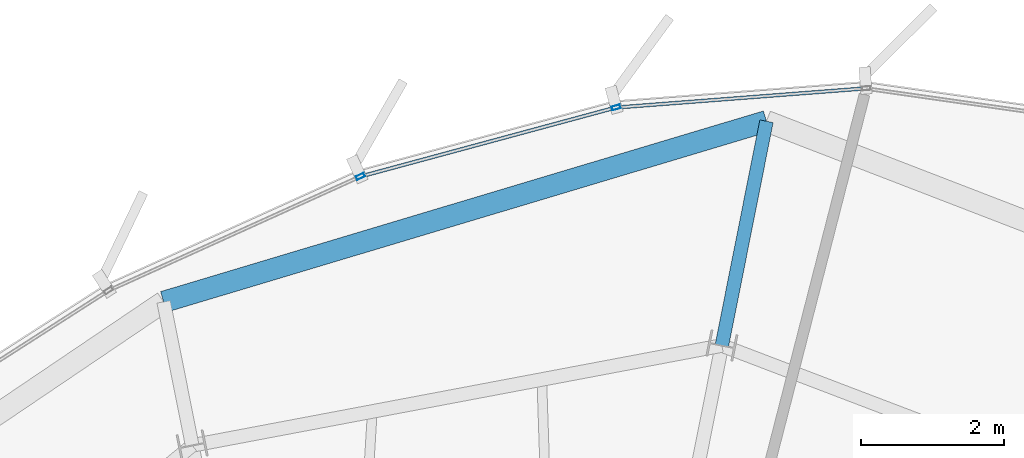
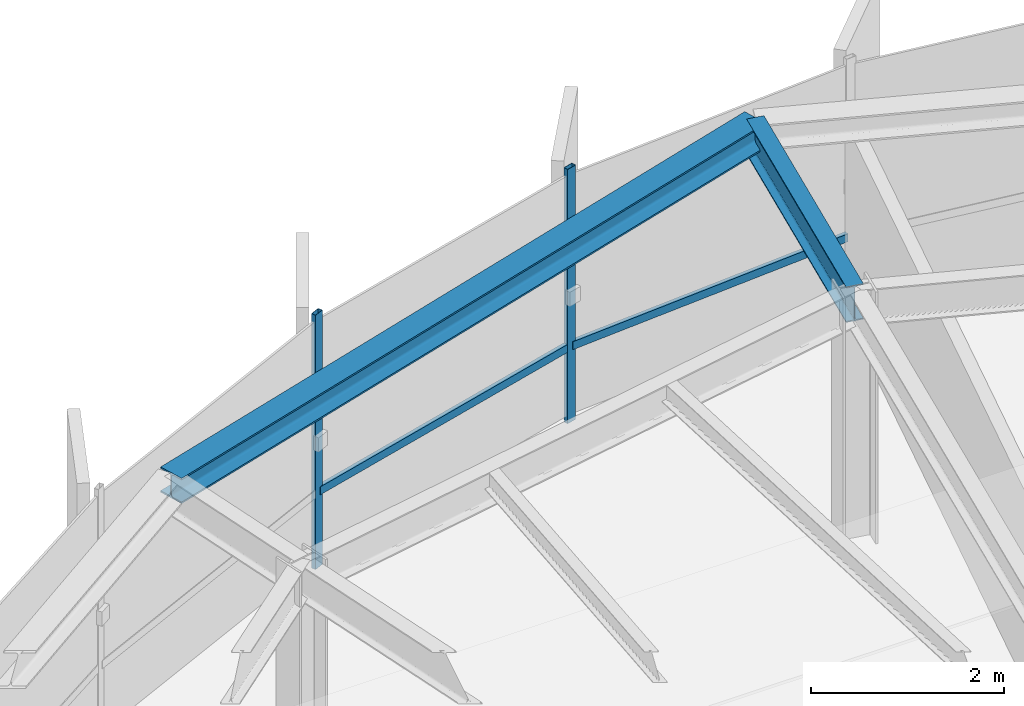
# One storey, part 21 of 31: 4 members, 2 beams, 1 element without a shape of its own.
"""IFC4 building model written with IfcOpenShell, lengths in metres."""

from ifc_helpers import new_model, si_unit, direction, frame, origin, origin_2d, place, context, subcontext, project, spatial, hollow_rectangle, i_section, extrude, source, transform, mapped, material, layer, layer_set, material_profile, profile_set, type_object, element, aggregate, save


model = new_model("IFC4")

# Units and contexts
model_context = context("Model", 3, precision=1e-05, world=origin(), true_north=direction((0.0, 1.0)))
body_context = subcontext(model_context, "Body", "Model", "MODEL_VIEW")
ifc_project = project(units=[si_unit("LENGTHUNIT", "METRE"), si_unit("AREAUNIT", "SQUARE_METRE"), si_unit("VOLUMEUNIT", "CUBIC_METRE"), si_unit("PLANEANGLEUNIT", "RADIAN"), si_unit("MASSUNIT", "GRAM", prefix="KILO"), si_unit("THERMODYNAMICTEMPERATUREUNIT", "KELVIN")], contexts=[model_context])

# Site, building, storey
site_placement = place(None, origin())
site = spatial("IfcSite", under=ifc_project, at=site_placement, CompositionType="ELEMENT")
building_placement = place(site_placement, origin())
building = spatial("IfcBuilding", under=site, at=building_placement, Name="Kethvar Cultural Tower", CompositionType="ELEMENT")
storey_placement = place(building_placement, frame((0.0, 0.0, 276.699951171875)))
storey = spatial("IfcBuildingStorey", under=building, at=storey_placement, Name="L73", CompositionType="ELEMENT", Elevation=276.699951171875)

# Beams
ifc_material_1 = material(Name="Steel S355J2", Category="steel")
ifc_material_profile_1 = material_profile(ifc_material_1, i_section(OverallWidth=0.18994140625, OverallDepth=0.449951171875, WebThickness=0.009521484375, FlangeThickness=0.0146484375, FilletRadius=0.02099609375, at=origin_2d()), Name="Steel S355J2 — IPE450")
ifc_profile_set_1 = profile_set([ifc_material_profile_1], Name="Steel S355J2 — IPE450")
beam_type_1 = type_object("IfcBeamType", Name="BM-IPE450", PredefinedType="BEAM", material=ifc_profile_set_1)
shared_shape_1 = source(origin(), body_context, "Body", "SweptSolid", [
    extrude(i_section(OverallWidth=0.18994140625, OverallDepth=0.449951171875, WebThickness=0.009521484375, FlangeThickness=0.0146484375, FilletRadius=0.02099609375, at=origin_2d()), origin(), (0.0, 0.0, 1.0), 3.199951171875),
])
beam_1_placement = place(storey_placement, frame((50.645263671875, 47.131591796875, 2.983154296875), z_axis=(0.195088965533, 0.980785550224, 0.0), x_axis=(-0.980785550224, 0.195088965533, 0.0)))
element("IfcBeam", 1, at=beam_1_placement, inside=storey, type_object=beam_type_1, Name="L73 Perimeter Cantilever Beam RC-04", PredefinedType="BEAM", context=body_context, shape_type="MappedRepresentation", body=[
    mapped(shared_shape_1, transform((0.0, 0.0, 0.0), scale=1.0)),
])
ifc_material_profile_2 = material_profile(ifc_material_1, i_section(OverallWidth=0.300048828125, OverallDepth=0.320068359375, WebThickness=0.011474609375, FlangeThickness=0.0205078125, FilletRadius=0.027099609375, at=origin_2d()), Name="Steel S355J2 — HEB320")
ifc_profile_set_2 = profile_set([ifc_material_profile_2], Name="Steel S355J2 — HEB320")
beam_type_2 = type_object("IfcBeamType", Name="BM-SP320", PredefinedType="SPANDREL", material=ifc_profile_set_2)
shared_shape_2 = source(origin(), body_context, "Body", "SweptSolid", [
    extrude(i_section(OverallWidth=0.300048828125, OverallDepth=0.320068359375, WebThickness=0.011474609375, FlangeThickness=0.0205078125, FilletRadius=0.027099609375, at=origin_2d()), origin(), (0.0, 0.0, 1.0), 8.806884765625),
])
beam_2_placement = place(storey_placement, frame((51.26953125, 50.27001953125, 3.048095703125), z_axis=(-0.957921605111, -0.287029960912, 0.0), x_axis=(0.287029960912, -0.957921605111, 0.0)))
element("IfcBeam", 2, at=beam_2_placement, inside=storey, type_object=beam_type_2, Name="L73 Perimeter Spandrel Beam SP-04", PredefinedType="SPANDREL", context=body_context, shape_type="MappedRepresentation", body=[
    mapped(shared_shape_2, transform((0.0, 0.0, 0.0), scale=1.0)),
])

# Curtain wall, members
ifc_material_2 = material(Name="Aluminium 6063-T6", Category="aluminium")
ifc_layer = layer(ifc_material_2, 0.179931640625, Name="Aluminium 6063-T6", Category="aluminium")
ifc_layer_set = layer_set([ifc_layer], Name="Aluminium 6063-T6 (180 mm)")
curtain_wall_type = type_object("IfcCurtainWallType", Name="CW-SYS-05-Z56", PredefinedType="NOTDEFINED", material=ifc_layer_set)
curtain_wall_placement = place(storey_placement, origin())
curtain_wall = element("IfcCurtainWall", 3, at=curtain_wall_placement, inside=storey, type_object=curtain_wall_type, Name="L73 Curtain Wall Run 01", PredefinedType="NOTDEFINED")
ifc_material_profile_3 = material_profile(ifc_material_2, hollow_rectangle(XDim=0.054931640625, YDim=0.1201171875, WallThickness=0.00390625, at=origin_2d()), Name="Aluminium 6063-T6 — RHS120x55x4")
ifc_profile_set_3 = profile_set([ifc_material_profile_3], Name="Aluminium 6063-T6 — RHS120x55x4")
member_type_1 = type_object("IfcMemberType", Name="CW-SYS-05-Z56-MUL", PredefinedType="MULLION", material=ifc_profile_set_3)
shared_shape_3 = source(origin(), body_context, "Body", "SweptSolid", [
    extrude(hollow_rectangle(XDim=0.054931640625, YDim=0.1201171875, WallThickness=0.00390625, at=origin_2d()), origin(), (0.0, 0.0, 1.0), 3.2099609375),
])
member_1_placement = place(storey_placement, frame((49.1650390625, 50.462890625, 0.0), z_axis=(0.0, 0.0, 1.0), x_axis=(0.260875204307, -0.965372533159, 0.0)))
member_1 = element("IfcMember", 4, at=member_1_placement, type_object=member_type_1, Name="CW-L73-R01 Mullion 4", PredefinedType="MULLION", context=body_context, shape_type="MappedRepresentation", body=[
    mapped(shared_shape_3, transform((0.0, 0.0, 0.0), scale=1.0)),
])
member_2_placement = place(storey_placement, frame((45.587158203125, 49.497314453125, 0.0), z_axis=(0.0, 0.0, 1.0), x_axis=(0.412611642105, -0.910907038506, 0.0)))
member_2 = element("IfcMember", 5, at=member_2_placement, type_object=member_type_1, Name="CW-L73-R01 Mullion 5", PredefinedType="MULLION", context=body_context, shape_type="MappedRepresentation", body=[
    mapped(shared_shape_3, transform((0.0, 0.0, 0.0), scale=1.0)),
])
ifc_material_profile_4 = material_profile(ifc_material_2, hollow_rectangle(XDim=0.050048828125, YDim=0.10009765625, WallThickness=0.00390625, at=origin_2d()), Name="Aluminium 6063-T6 — RHS100x50x4")
ifc_profile_set_4 = profile_set([ifc_material_profile_4], Name="Aluminium 6063-T6 — RHS100x50x4")
member_type_2 = type_object("IfcMemberType", Name="CW-SYS-05-Z56-TRN", PredefinedType="USERDEFINED", material=ifc_profile_set_4)
shared_shape_4 = source(origin(), body_context, "Body", "SweptSolid", [
    extrude(hollow_rectangle(XDim=0.050048828125, YDim=0.10009765625, WallThickness=0.00390625, at=origin_2d()), origin(), (0.0, 0.0, 1.0), 3.448486328125),
])
member_3_placement = place(storey_placement, frame((52.624267578125, 50.727294921875, 0.949951171875), z_axis=(-0.997056151115, -0.076674842836, 0.0), x_axis=(0.076674842836, -0.997056151115, 0.0)))
member_3 = element("IfcMember", 6, at=member_3_placement, type_object=member_type_2, Name="CW-L73-R01 Transom 3", ObjectType="TRANSOM", PredefinedType="USERDEFINED", context=body_context, shape_type="MappedRepresentation", body=[
    mapped(shared_shape_4, transform((0.0, 0.0, 0.0), scale=1.0)),
])
shared_shape_5 = source(origin(), body_context, "Body", "SweptSolid", [
    extrude(hollow_rectangle(XDim=0.050048828125, YDim=0.10009765625, WallThickness=0.00390625, at=origin_2d()), origin(), (0.0, 0.0, 1.0), 3.642822265625),
])
member_4_placement = place(storey_placement, frame((49.126708984375, 50.45263671875, 0.949951171875), z_axis=(-0.965362936795, -0.260910713201, 0.0), x_axis=(0.260910713201, -0.965362936795, 0.0)))
member_4 = element("IfcMember", 7, at=member_4_placement, type_object=member_type_2, Name="CW-L73-R01 Transom 4", ObjectType="TRANSOM", PredefinedType="USERDEFINED", context=body_context, shape_type="MappedRepresentation", body=[
    mapped(shared_shape_5, transform((0.0, 0.0, 0.0), scale=1.0)),
])
aggregate(curtain_wall, [member_1, member_2, member_3, member_4])

save(model, "model.ifc")
